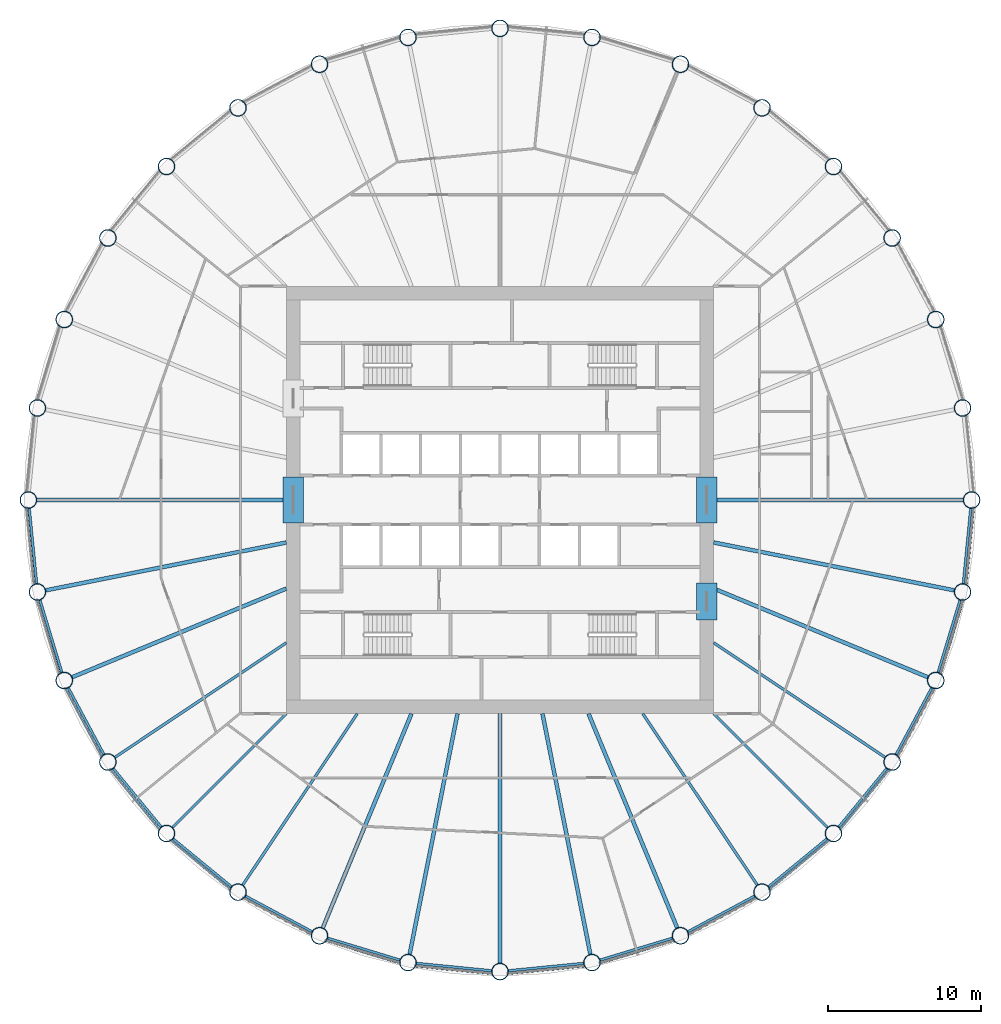
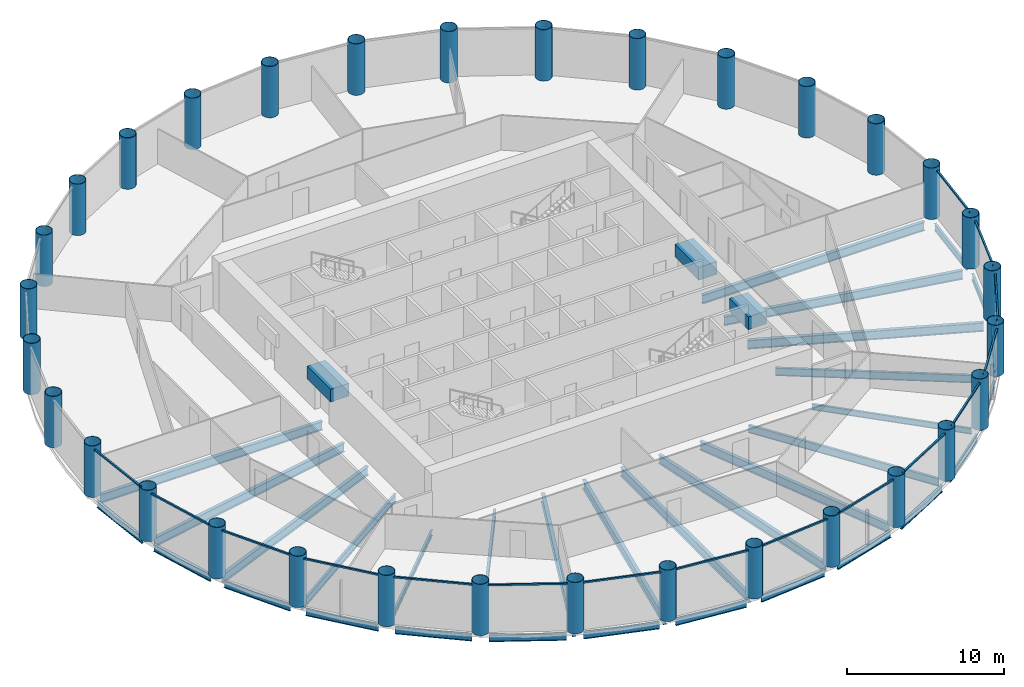
# One storey, part 1 of 9: 36 beams, 32 columns, 16 members, 16 elements without a shape of their own.
"""IFC4 building model written with IfcOpenShell, lengths in metres."""

from ifc_helpers import new_model, si_unit, direction, frame, origin, origin_2d, place, context, subcontext, project, spatial, rectangle, hollow_circle, i_section, extrude, material, material_profile, profile_set, type_object, element, aggregate, save


model = new_model("IFC4")

# Units and contexts
model_context = context("Model", 3, precision=1e-05, world=origin(), true_north=direction((0.0, 1.0)))
body_context = subcontext(model_context, "Body", "Model", "MODEL_VIEW")
ifc_project = project(units=[si_unit("LENGTHUNIT", "METRE"), si_unit("AREAUNIT", "SQUARE_METRE"), si_unit("VOLUMEUNIT", "CUBIC_METRE"), si_unit("PLANEANGLEUNIT", "RADIAN"), si_unit("MASSUNIT", "GRAM", prefix="KILO")], contexts=[model_context])

# Site, building, storey
site_placement = place(None, origin())
site = spatial("IfcSite", under=ifc_project, at=site_placement, CompositionType="ELEMENT")
building_placement = place(site_placement, origin())
building = spatial("IfcBuilding", under=site, at=building_placement, Name="Corvane Civic Tower", CompositionType="ELEMENT")
storey_placement = place(building_placement, frame((0.0, 0.0, 180.0)))
storey = spatial("IfcBuildingStorey", under=building, at=storey_placement, Name="L42", CompositionType="ELEMENT", Elevation=180.0)

# Columns
ifc_material_1 = material(Name="Steel ASTM A572 Gr 50", Category="steel")
ifc_material_profile_1 = material_profile(ifc_material_1, hollow_circle(Radius=0.550048828125, WallThickness=0.031982421875, at=origin_2d()), Name="CHS1100X32")
ifc_profile_set_1 = profile_set([ifc_material_profile_1], Name="Steel ASTM A572 Gr 50")
column_type = type_object("IfcColumnType", Name="COMPOSITE COLUMN CHS1100X32", PredefinedType="COLUMN", material=ifc_profile_set_1)
for number, where, z_axis, x_axis, name in (
    (1, (0.0, 30.89990234375, 0.0), (0.0, 0.0, 1.0), (1.0, 0.0, 0.0), "COL-L42-C01"),
    (2, (6.0283203125, 30.30615234375, 0.0), (0.0, 0.0, 1.0), (1.0, 0.0, 0.0), "COL-L42-C02"),
    (3, (11.824951171875, 28.5478515625, 0.0), (0.0, 0.0, 1.0), (1.0, 0.0, 0.0), "COL-L42-C03"),
    (4, (17.167236328125, 25.6923828125, 0.0), (0.0, 0.0, 1.0), (1.0, 0.0, 0.0), "COL-L42-C04"),
    (5, (21.849609375, 21.849609375, 0.0), (0.0, 0.0, 1.0), (1.0, 0.0, 0.0), "COL-L42-C05"),
    (6, (25.6923828125, 17.167236328125, 0.0), (0.0, 0.0, 1.0), (1.0, 0.0, 0.0), "COL-L42-C06"),
    (7, (28.5478515625, 11.824951171875, 0.0), (0.0, 0.0, 1.0), (1.0, 0.0, 0.0), "COL-L42-C07"),
    (8, (30.30615234375, 6.0283203125, 0.0), (0.0, 0.0, 1.0), (1.0, 0.0, 0.0), "COL-L42-C08"),
    (9, (30.89990234375, 0.0, 0.0), (0.0, 0.0, 1.0), (1.0, 0.0, 0.0), "COL-L42-C09"),
    (10, (30.30615234375, -6.0283203125, 0.0), (0.0, 0.0, 1.0), (1.0, 0.0, 0.0), "COL-L42-C10"),
    (11, (28.5478515625, -11.824951171875, 0.0), (0.0, 0.0, 1.0), (1.0, 0.0, 0.0), "COL-L42-C11"),
    (12, (25.6923828125, -17.167236328125, 0.0), (0.0, 0.0, 1.0), (1.0, 0.0, 0.0), "COL-L42-C12"),
    (13, (21.849609375, -21.849609375, 0.0), (0.0, 0.0, 1.0), (1.0, 0.0, 0.0), "COL-L42-C13"),
    (14, (17.167236328125, -25.6923828125, 0.0), (0.0, 0.0, 1.0), (1.0, 0.0, 0.0), "COL-L42-C14"),
    (15, (11.824951171875, -28.5478515625, 0.0), (0.0, 0.0, 1.0), (1.0, 0.0, 0.0), "COL-L42-C15"),
    (16, (6.0283203125, -30.30615234375, 0.0), (0.0, 0.0, 1.0), (1.0, 0.0, 0.0), "COL-L42-C16"),
    (17, (0.0, -30.89990234375, 0.0), (0.0, 0.0, 1.0), (1.0, 0.0, 0.0), "COL-L42-C17"),
    (18, (-6.0283203125, -30.30615234375, 0.0), (0.0, 0.0, 1.0), (1.0, 0.0, 0.0), "COL-L42-C18"),
    (19, (-11.824951171875, -28.5478515625, 0.0), (0.0, 0.0, 1.0), (1.0, 0.0, 0.0), "COL-L42-C19"),
    (20, (-17.167236328125, -25.6923828125, 0.0), (0.0, 0.0, 1.0), (1.0, 0.0, 0.0), "COL-L42-C20"),
    (21, (-21.849609375, -21.849609375, 0.0), (0.0, 0.0, 1.0), (1.0, 0.0, 0.0), "COL-L42-C21"),
    (22, (-25.6923828125, -17.167236328125, 0.0), (0.0, 0.0, 1.0), (1.0, 0.0, 0.0), "COL-L42-C22"),
    (23, (-28.5478515625, -11.824951171875, 0.0), (0.0, 0.0, 1.0), (1.0, 0.0, 0.0), "COL-L42-C23"),
    (24, (-30.30615234375, -6.0283203125, 0.0), (0.0, 0.0, 1.0), (1.0, 0.0, 0.0), "COL-L42-C24"),
    (25, (-30.89990234375, 0.0, 0.0), (0.0, 0.0, 1.0), (1.0, 0.0, 0.0), "COL-L42-C25"),
    (26, (-30.30615234375, 6.0283203125, 0.0), (0.0, 0.0, 1.0), (1.0, 0.0, 0.0), "COL-L42-C26"),
    (27, (-28.5478515625, 11.824951171875, 0.0), (0.0, 0.0, 1.0), (1.0, 0.0, 0.0), "COL-L42-C27"),
    (28, (-25.6923828125, 17.167236328125, 0.0), (0.0, 0.0, 1.0), (1.0, 0.0, 0.0), "COL-L42-C28"),
    (29, (-21.849609375, 21.849609375, 0.0), (0.0, 0.0, 1.0), (1.0, 0.0, 0.0), "COL-L42-C29"),
    (30, (-17.167236328125, 25.6923828125, 0.0), (0.0, 0.0, 1.0), (1.0, 0.0, 0.0), "COL-L42-C30"),
    (31, (-11.824951171875, 28.5478515625, 0.0), (0.0, 0.0, 1.0), (1.0, 0.0, 0.0), "COL-L42-C31"),
    (32, (-6.0283203125, 30.30615234375, 0.0), (0.0, 0.0, 1.0), (1.0, 0.0, 0.0), "COL-L42-C32"),
):
    element("IfcColumn", number, at=place(storey_placement, frame(where, z_axis=z_axis, x_axis=x_axis)), inside=storey, type_object=column_type, Name=name, PredefinedType="COLUMN", context=body_context, shape_type="SweptSolid", body=[
        extrude(hollow_circle(Radius=0.550048828125, WallThickness=0.031982421875, at=origin_2d()), origin(), (0.0, 0.0, 1.0), 4.0),
    ])

# Beams
ifc_material_2 = material(Name="Concrete C60/75", Category="concrete")
ifc_material_profile_2 = material_profile(ifc_material_2, rectangle(XDim=1.35009765625, YDim=1.0, at=origin_2d()), Name="COUPLING BEAM 1350X1000")
ifc_profile_set_2 = profile_set([ifc_material_profile_2], Name="Concrete C60/75")
beam_type_1 = type_object("IfcBeamType", Name="COUPLING BEAM COUPLING BEAM 1350X1000", PredefinedType="BEAM", material=ifc_profile_set_2)
for number, where, z_axis, x_axis, name in (
    (33, (-13.550048828125, -1.5, 2.60009765625), (0.0, 1.0, 0.0), (-1.0, 0.0, 0.0), "BM-L42-cpl-CW-LW"),
    (34, (13.550048828125, -1.5, 2.60009765625), (0.0, 1.0, 0.0), (-1.0, 0.0, 0.0), "BM-L42-cpl-CW-LE"),
):
    element("IfcBeam", number, at=place(storey_placement, frame(where, z_axis=z_axis, x_axis=x_axis)), inside=storey, type_object=beam_type_1, Name=name, PredefinedType="BEAM", context=body_context, shape_type="SweptSolid", body=[
        extrude(rectangle(XDim=1.35009765625, YDim=1.0, at=origin_2d()), origin(), (0.0, 0.0, 1.0), 3.0),
    ])
beam_1_placement = place(storey_placement, frame((13.550048828125, -7.85009765625, 2.60009765625), z_axis=(0.0, 1.0, 0.0), x_axis=(-1.0, 0.0, 0.0)))
element("IfcBeam", 35, at=beam_1_placement, inside=storey, type_object=beam_type_1, Name="BM-L42-cpl-CW-ES", PredefinedType="BEAM", context=body_context, shape_type="SweptSolid", body=[
    extrude(rectangle(XDim=1.35009765625, YDim=1.0, at=origin_2d()), origin(), (0.0, 0.0, 1.0), 2.400146484375),
])
ifc_material_3 = material(Name="Steel ASTM A992 Gr 50", Category="steel")
ifc_material_profile_3 = material_profile(ifc_material_3, i_section(OverallWidth=0.165771484375, OverallDepth=0.5283203125, WebThickness=0.009765625, FlangeThickness=0.013671875, at=origin_2d()), Name="W21X50")
ifc_profile_set_3 = profile_set([ifc_material_profile_3], Name="Steel ASTM A992 Gr 50")
beam_type_2 = type_object("IfcBeamType", Name="EDGE BEAM W21X50", PredefinedType="BEAM", material=ifc_profile_set_3)
beam_2_placement = place(storey_placement, frame((30.845947265625, -0.54736328125, -0.564208984375), z_axis=(-0.09800181167, -0.995186236294, 0.0), x_axis=(0.995186236294, -0.09800181167, 0.0)))
element("IfcBeam", 36, at=beam_2_placement, inside=storey, type_object=beam_type_2, Name="BM-L42-E09", PredefinedType="BEAM", context=body_context, shape_type="SweptSolid", body=[
    extrude(i_section(OverallWidth=0.165771484375, OverallDepth=0.5283203125, WebThickness=0.009765625, FlangeThickness=0.013671875, at=origin_2d()), origin(), (0.0, 0.0, 1.0), 4.95751953125),
])
beam_3_placement = place(storey_placement, frame((30.146484375, -6.5546875, -0.564208984375), z_axis=(-0.290269821381, -0.956944842086, 0.0), x_axis=(0.956944842086, -0.290269821381, 0.0)))
element("IfcBeam", 37, at=beam_3_placement, inside=storey, type_object=beam_type_2, Name="BM-L42-E10", PredefinedType="BEAM", context=body_context, shape_type="SweptSolid", body=[
    extrude(i_section(OverallWidth=0.165771484375, OverallDepth=0.5283203125, WebThickness=0.009765625, FlangeThickness=0.013671875, at=origin_2d()), origin(), (0.0, 0.0, 1.0), 4.957275390625),
])
for number, where, z_axis, x_axis, name in (
    (38, (28.28857421875, -12.31005859375, -0.564208984375), (-0.471395763042, -0.881921784846, 0.0), (0.881921784846, -0.471395763042, 0.0), "BM-L42-E11"),
    (39, (25.343505859375, -17.59228515625, -0.564208984375), (-0.634387546532, -0.77301516208, 0.0), (0.77301516208, -0.634387546532, 0.0), "BM-L42-E12"),
    (40, (21.424560546875, -22.198486328125, -0.564208984375), (-0.77301516208, -0.634387546532, 0.0), (0.634387546532, -0.77301516208, 0.0), "BM-L42-E13"),
    (41, (16.68212890625, -25.95166015625, -0.564208984375), (-0.881921784846, -0.471395763042, 0.0), (0.471395763042, -0.881921784846, 0.0), "BM-L42-E14"),
):
    element("IfcBeam", number, at=place(storey_placement, frame(where, z_axis=z_axis, x_axis=x_axis)), inside=storey, type_object=beam_type_2, Name=name, PredefinedType="BEAM", context=body_context, shape_type="SweptSolid", body=[
        extrude(i_section(OverallWidth=0.165771484375, OverallDepth=0.5283203125, WebThickness=0.009765625, FlangeThickness=0.013671875, at=origin_2d()), origin(), (0.0, 0.0, 1.0), 4.95751953125),
    ])
beam_4_placement = place(storey_placement, frame((11.298583984375, -28.70751953125, -0.564208984375), z_axis=(-0.956944842086, -0.290269821381, 0.0), x_axis=(0.290269821381, -0.956944842086, 0.0)))
element("IfcBeam", 42, at=beam_4_placement, inside=storey, type_object=beam_type_2, Name="BM-L42-E15", PredefinedType="BEAM", context=body_context, shape_type="SweptSolid", body=[
    extrude(i_section(OverallWidth=0.165771484375, OverallDepth=0.5283203125, WebThickness=0.009765625, FlangeThickness=0.013671875, at=origin_2d()), origin(), (0.0, 0.0, 1.0), 4.957275390625),
])
for number, where, z_axis, x_axis, name in (
    (43, (5.48095703125, -30.360107421875, -0.564208984375), (-0.995186236294, -0.09800181167, 0.0), (0.09800181167, -0.995186236294, 0.0), "BM-L42-E16"),
    (44, (-0.54736328125, -30.845947265625, -0.564208984375), (-0.995186236294, 0.09800181167, 0.0), (-0.09800181167, -0.995186236294, 0.0), "BM-L42-E17"),
):
    element("IfcBeam", number, at=place(storey_placement, frame(where, z_axis=z_axis, x_axis=x_axis)), inside=storey, type_object=beam_type_2, Name=name, PredefinedType="BEAM", context=body_context, shape_type="SweptSolid", body=[
        extrude(i_section(OverallWidth=0.165771484375, OverallDepth=0.5283203125, WebThickness=0.009765625, FlangeThickness=0.013671875, at=origin_2d()), origin(), (0.0, 0.0, 1.0), 4.95751953125),
    ])
beam_5_placement = place(storey_placement, frame((-6.5546875, -30.146484375, -0.564208984375), z_axis=(-0.956944842086, 0.290269821381, 0.0), x_axis=(-0.290269821381, -0.956944842086, 0.0)))
element("IfcBeam", 45, at=beam_5_placement, inside=storey, type_object=beam_type_2, Name="BM-L42-E18", PredefinedType="BEAM", context=body_context, shape_type="SweptSolid", body=[
    extrude(i_section(OverallWidth=0.165771484375, OverallDepth=0.5283203125, WebThickness=0.009765625, FlangeThickness=0.013671875, at=origin_2d()), origin(), (0.0, 0.0, 1.0), 4.957275390625),
])
for number, where, z_axis, x_axis, name in (
    (46, (-12.31005859375, -28.28857421875, -0.564208984375), (-0.881921784846, 0.471395763042, 0.0), (-0.471395763042, -0.881921784846, 0.0), "BM-L42-E19"),
    (47, (-17.59228515625, -25.343505859375, -0.564208984375), (-0.77301516208, 0.634387546532, 0.0), (-0.634387546532, -0.77301516208, 0.0), "BM-L42-E20"),
    (48, (-22.198486328125, -21.424560546875, -0.564208984375), (-0.634387546532, 0.77301516208, 0.0), (-0.77301516208, -0.634387546532, 0.0), "BM-L42-E21"),
    (49, (-25.95166015625, -16.68212890625, -0.564208984375), (-0.471395763042, 0.881921784846, 0.0), (-0.881921784846, -0.471395763042, 0.0), "BM-L42-E22"),
):
    element("IfcBeam", number, at=place(storey_placement, frame(where, z_axis=z_axis, x_axis=x_axis)), inside=storey, type_object=beam_type_2, Name=name, PredefinedType="BEAM", context=body_context, shape_type="SweptSolid", body=[
        extrude(i_section(OverallWidth=0.165771484375, OverallDepth=0.5283203125, WebThickness=0.009765625, FlangeThickness=0.013671875, at=origin_2d()), origin(), (0.0, 0.0, 1.0), 4.95751953125),
    ])
beam_6_placement = place(storey_placement, frame((-28.70751953125, -11.298583984375, -0.564208984375), z_axis=(-0.290269821381, 0.956944842086, 0.0), x_axis=(-0.956944842086, -0.290269821381, 0.0)))
element("IfcBeam", 50, at=beam_6_placement, inside=storey, type_object=beam_type_2, Name="BM-L42-E23", PredefinedType="BEAM", context=body_context, shape_type="SweptSolid", body=[
    extrude(i_section(OverallWidth=0.165771484375, OverallDepth=0.5283203125, WebThickness=0.009765625, FlangeThickness=0.013671875, at=origin_2d()), origin(), (0.0, 0.0, 1.0), 4.957275390625),
])
beam_7_placement = place(storey_placement, frame((-30.360107421875, -5.48095703125, -0.564208984375), z_axis=(-0.09800181167, 0.995186236294, 0.0), x_axis=(-0.995186236294, -0.09800181167, 0.0)))
element("IfcBeam", 51, at=beam_7_placement, inside=storey, type_object=beam_type_2, Name="BM-L42-E24", PredefinedType="BEAM", context=body_context, shape_type="SweptSolid", body=[
    extrude(i_section(OverallWidth=0.165771484375, OverallDepth=0.5283203125, WebThickness=0.009765625, FlangeThickness=0.013671875, at=origin_2d()), origin(), (0.0, 0.0, 1.0), 4.95751953125),
])
ifc_material_4 = material(Name="Steel ASTM A992 Gr 50", Category="steel")
ifc_material_profile_4 = material_profile(ifc_material_4, i_section(OverallWidth=0.15283203125, OverallDepth=0.45458984375, WebThickness=0.008056640625, FlangeThickness=0.013427734375, at=origin_2d()), Name="W18X40")
ifc_profile_set_4 = profile_set([ifc_material_profile_4], Name="Steel ASTM A992 Gr 50")
beam_type_3 = type_object("IfcBeamType", Name="FLOOR GIRDER W18X40", PredefinedType="BEAM", material=ifc_profile_set_4)
for number, where, z_axis, x_axis, name in (
    (52, (14.0, -14.0, -0.52734375), (0.707106781187, -0.707106781187, 0.0), (0.707106781187, 0.707106781187, 0.0), "BM-L42-G13"),
    (53, (-14.0, -14.0, -0.52734375), (-0.707106781187, -0.707106781187, 0.0), (0.707106781187, -0.707106781187, 0.0), "BM-L42-G21"),
):
    element("IfcBeam", number, at=place(storey_placement, frame(where, z_axis=z_axis, x_axis=x_axis)), inside=storey, type_object=beam_type_3, Name=name, PredefinedType="BEAM", context=body_context, shape_type="SweptSolid", body=[
        extrude(i_section(OverallWidth=0.15283203125, OverallDepth=0.45458984375, WebThickness=0.008056640625, FlangeThickness=0.013427734375, at=origin_2d()), origin(), (0.0, 0.0, 1.0), 10.551025390625),
    ])
ifc_material_5 = material(Name="Steel ASTM A992 Gr 50", Category="steel")
ifc_material_profile_5 = material_profile(ifc_material_5, i_section(OverallWidth=0.177978515625, OverallDepth=0.599365234375, WebThickness=0.010009765625, FlangeThickness=0.012939453125, at=origin_2d()), Name="W24X55")
ifc_profile_set_5 = profile_set([ifc_material_profile_5], Name="Steel ASTM A992 Gr 50")
beam_type_4 = type_object("IfcBeamType", Name="FLOOR GIRDER W24X55", PredefinedType="BEAM", material=ifc_profile_set_5)
for number, where, z_axis, x_axis, name in (
    (54, (14.0, -9.3544921875, -0.599609375), (0.83146888399, -0.555571323015, 0.0), (0.555571323015, 0.83146888399, 0.0), "BM-L42-G12"),
    (55, (9.3544921875, -14.0, -0.599609375), (0.555571323015, -0.83146888399, 0.0), (0.83146888399, 0.555571323015, 0.0), "BM-L42-G14"),
    (56, (-9.3544921875, -14.0, -0.599609375), (-0.555571323015, -0.83146888399, 0.0), (0.83146888399, -0.555571323015, 0.0), "BM-L42-G20"),
    (57, (-14.0, -9.3544921875, -0.599609375), (-0.83146888399, -0.555571323015, 0.0), (0.555571323015, -0.83146888399, 0.0), "BM-L42-G22"),
):
    element("IfcBeam", number, at=place(storey_placement, frame(where, z_axis=z_axis, x_axis=x_axis)), inside=storey, type_object=beam_type_4, Name=name, PredefinedType="BEAM", context=body_context, shape_type="SweptSolid", body=[
        extrude(i_section(OverallWidth=0.177978515625, OverallDepth=0.599365234375, WebThickness=0.010009765625, FlangeThickness=0.012939453125, at=origin_2d()), origin(), (0.0, 0.0, 1.0), 13.512451171875),
    ])
ifc_material_6 = material(Name="Steel ASTM A992 Gr 50", Category="steel")
ifc_material_profile_6 = material_profile(ifc_material_6, i_section(OverallWidth=0.25390625, OverallDepth=0.67822265625, WebThickness=0.01171875, FlangeThickness=0.016357421875, at=origin_2d()), Name="W27X84")
ifc_profile_set_6 = profile_set([ifc_material_profile_6], Name="Steel ASTM A992 Gr 50")
beam_type_5 = type_object("IfcBeamType", Name="FLOOR GIRDER W27X84", PredefinedType="BEAM", material=ifc_profile_set_6)
beam_8_placement = place(storey_placement, frame((14.0, 0.0, -0.63916015625), z_axis=(1.0, 0.0, 0.0), x_axis=(0.0, 1.0, 0.0)))
element("IfcBeam", 58, at=beam_8_placement, inside=storey, type_object=beam_type_5, Name="BM-L42-G09", PredefinedType="BEAM", context=body_context, shape_type="SweptSolid", body=[
    extrude(i_section(OverallWidth=0.25390625, OverallDepth=0.67822265625, WebThickness=0.01171875, FlangeThickness=0.016357421875, at=origin_2d()), origin(), (0.0, 0.0, 1.0), 16.35009765625),
])
beam_9_placement = place(storey_placement, frame((14.0, -2.78466796875, -0.63916015625), z_axis=(0.980785162999, -0.195090912248, 0.0), x_axis=(0.195090912248, 0.980785162999, 0.0)))
element("IfcBeam", 59, at=beam_9_placement, inside=storey, type_object=beam_type_5, Name="BM-L42-G10", PredefinedType="BEAM", context=body_context, shape_type="SweptSolid", body=[
    extrude(i_section(OverallWidth=0.25390625, OverallDepth=0.67822265625, WebThickness=0.01171875, FlangeThickness=0.016357421875, at=origin_2d()), origin(), (0.0, 0.0, 1.0), 16.07568359375),
])
for number, where, z_axis, x_axis, name in (
    (60, (14.0, -5.799072265625, -0.63916015625), (0.923880551114, -0.38268097323, 0.0), (0.38268097323, 0.923880551114, 0.0), "BM-L42-G11"),
    (61, (5.799072265625, -14.0, -0.63916015625), (0.38268097323, -0.923880551114, 0.0), (0.923880551114, 0.38268097323, 0.0), "BM-L42-G15"),
):
    element("IfcBeam", number, at=place(storey_placement, frame(where, z_axis=z_axis, x_axis=x_axis)), inside=storey, type_object=beam_type_5, Name=name, PredefinedType="BEAM", context=body_context, shape_type="SweptSolid", body=[
        extrude(i_section(OverallWidth=0.25390625, OverallDepth=0.67822265625, WebThickness=0.01171875, FlangeThickness=0.016357421875, at=origin_2d()), origin(), (0.0, 0.0, 1.0), 15.196533203125),
    ])
beam_10_placement = place(storey_placement, frame((2.78466796875, -14.0, -0.63916015625), z_axis=(0.195090912248, -0.980785162999, 0.0), x_axis=(0.980785162999, 0.195090912248, 0.0)))
element("IfcBeam", 62, at=beam_10_placement, inside=storey, type_object=beam_type_5, Name="BM-L42-G16", PredefinedType="BEAM", context=body_context, shape_type="SweptSolid", body=[
    extrude(i_section(OverallWidth=0.25390625, OverallDepth=0.67822265625, WebThickness=0.01171875, FlangeThickness=0.016357421875, at=origin_2d()), origin(), (0.0, 0.0, 1.0), 16.07568359375),
])
beam_11_placement = place(storey_placement, frame((0.0, -14.0, -0.63916015625), z_axis=(0.0, -1.0, 0.0), x_axis=(1.0, 0.0, 0.0)))
element("IfcBeam", 63, at=beam_11_placement, inside=storey, type_object=beam_type_5, Name="BM-L42-G17", PredefinedType="BEAM", context=body_context, shape_type="SweptSolid", body=[
    extrude(i_section(OverallWidth=0.25390625, OverallDepth=0.67822265625, WebThickness=0.01171875, FlangeThickness=0.016357421875, at=origin_2d()), origin(), (0.0, 0.0, 1.0), 16.35009765625),
])
beam_12_placement = place(storey_placement, frame((-2.78466796875, -14.0, -0.63916015625), z_axis=(-0.195090912248, -0.980785162999, 0.0), x_axis=(0.980785162999, -0.195090912248, 0.0)))
element("IfcBeam", 64, at=beam_12_placement, inside=storey, type_object=beam_type_5, Name="BM-L42-G18", PredefinedType="BEAM", context=body_context, shape_type="SweptSolid", body=[
    extrude(i_section(OverallWidth=0.25390625, OverallDepth=0.67822265625, WebThickness=0.01171875, FlangeThickness=0.016357421875, at=origin_2d()), origin(), (0.0, 0.0, 1.0), 16.07568359375),
])
for number, where, z_axis, x_axis, name in (
    (65, (-5.799072265625, -14.0, -0.63916015625), (-0.38268097323, -0.923880551114, 0.0), (0.923880551114, -0.38268097323, 0.0), "BM-L42-G19"),
    (66, (-14.0, -5.799072265625, -0.63916015625), (-0.923880551114, -0.38268097323, 0.0), (0.38268097323, -0.923880551114, 0.0), "BM-L42-G23"),
):
    element("IfcBeam", number, at=place(storey_placement, frame(where, z_axis=z_axis, x_axis=x_axis)), inside=storey, type_object=beam_type_5, Name=name, PredefinedType="BEAM", context=body_context, shape_type="SweptSolid", body=[
        extrude(i_section(OverallWidth=0.25390625, OverallDepth=0.67822265625, WebThickness=0.01171875, FlangeThickness=0.016357421875, at=origin_2d()), origin(), (0.0, 0.0, 1.0), 15.196533203125),
    ])
beam_13_placement = place(storey_placement, frame((-14.0, -2.78466796875, -0.63916015625), z_axis=(-0.980785162999, -0.195090912248, 0.0), x_axis=(0.195090912248, -0.980785162999, 0.0)))
element("IfcBeam", 67, at=beam_13_placement, inside=storey, type_object=beam_type_5, Name="BM-L42-G24", PredefinedType="BEAM", context=body_context, shape_type="SweptSolid", body=[
    extrude(i_section(OverallWidth=0.25390625, OverallDepth=0.67822265625, WebThickness=0.01171875, FlangeThickness=0.016357421875, at=origin_2d()), origin(), (0.0, 0.0, 1.0), 16.07568359375),
])
beam_14_placement = place(storey_placement, frame((-14.0, 0.0, -0.63916015625), z_axis=(-1.0, 0.0, 0.0), x_axis=(0.0, -1.0, 0.0)))
element("IfcBeam", 68, at=beam_14_placement, inside=storey, type_object=beam_type_5, Name="BM-L42-G25", PredefinedType="BEAM", context=body_context, shape_type="SweptSolid", body=[
    extrude(i_section(OverallWidth=0.25390625, OverallDepth=0.67822265625, WebThickness=0.01171875, FlangeThickness=0.016357421875, at=origin_2d()), origin(), (0.0, 0.0, 1.0), 16.35009765625),
])

# Curtain wall, member
ifc_material_7 = material(Name="Anodised aluminium bronze", Category="aluminium")
curtain_wall_type = type_object("IfcCurtainWallType", Name="TOWER CW-T2 STICK CURTAIN WALL", PredefinedType="NOTDEFINED", material=ifc_material_7)
curtain_wall_1_placement = place(storey_placement, origin())
curtain_wall_1 = element("IfcCurtainWall", 69, at=curtain_wall_1_placement, inside=storey, type_object=curtain_wall_type, Name="Curtain wall CW-T2 L42 bay 09", PredefinedType="NOTDEFINED")
ifc_material_8 = material(Name="Anodised aluminium bronze", Category="aluminium")
ifc_material_profile_7 = material_profile(ifc_material_8, rectangle(XDim=0.1201171875, YDim=0.1201171875, at=origin_2d()), Name="TOWER CW-T2 TRANSOM 120x120")
ifc_profile_set_7 = profile_set([ifc_material_profile_7], Name="Anodised aluminium bronze")
member_type = type_object("IfcMemberType", Name="TOWER CW-T2 TRANSOM 120x120", PredefinedType="USERDEFINED", material=ifc_profile_set_7)
member_1_placement = place(storey_placement, frame((31.0302734375, -0.505126953125, 3.68994140625), z_axis=(-0.097989755963, -0.995187423416, 0.0), x_axis=(0.995187423416, -0.097989755963, 0.0)))
member_1 = element("IfcMember", 70, at=member_1_placement, type_object=member_type, Name="Transom CW-T2 L42 09.1", ObjectType="TRANSOM", PredefinedType="USERDEFINED", context=body_context, shape_type="SweptSolid", body=[
    extrude(rectangle(XDim=0.1201171875, YDim=0.1201171875, at=origin_2d()), origin(), (0.0, 0.0, 1.0), 5.07763671875),
])
aggregate(curtain_wall_1, [member_1])

curtain_wall_2_placement = place(storey_placement, origin())
curtain_wall_2 = element("IfcCurtainWall", 71, at=curtain_wall_2_placement, inside=storey, type_object=curtain_wall_type, Name="Curtain wall CW-T2 L42 bay 10", PredefinedType="NOTDEFINED")
member_2_placement = place(storey_placement, frame((30.33544921875, -6.54931640625, 3.68994140625), z_axis=(-0.290288977061, -0.956939031389, 0.0), x_axis=(0.956939031389, -0.290288977061, 0.0)))
member_2 = element("IfcMember", 72, at=member_2_placement, type_object=member_type, Name="Transom CW-T2 L42 10.1", ObjectType="TRANSOM", PredefinedType="USERDEFINED", context=body_context, shape_type="SweptSolid", body=[
    extrude(rectangle(XDim=0.1201171875, YDim=0.1201171875, at=origin_2d()), origin(), (0.0, 0.0, 1.0), 5.077392578125),
])
aggregate(curtain_wall_2, [member_2])

curtain_wall_3_placement = place(storey_placement, origin())
curtain_wall_3 = element("IfcCurtainWall", 73, at=curtain_wall_3_placement, inside=storey, type_object=curtain_wall_type, Name="Curtain wall CW-T2 L42 bay 11", PredefinedType="NOTDEFINED")
member_3_placement = place(storey_placement, frame((28.474853515625, -12.341552734375, 3.68994140625), z_axis=(-0.471396615074, -0.881921329426, 0.0), x_axis=(0.881921329426, -0.471396615074, 0.0)))
member_3 = element("IfcMember", 74, at=member_3_placement, type_object=member_type, Name="Transom CW-T2 L42 11.1", ObjectType="TRANSOM", PredefinedType="USERDEFINED", context=body_context, shape_type="SweptSolid", body=[
    extrude(rectangle(XDim=0.1201171875, YDim=0.1201171875, at=origin_2d()), origin(), (0.0, 0.0, 1.0), 5.07763671875),
])
aggregate(curtain_wall_3, [member_3])

curtain_wall_4_placement = place(storey_placement, origin())
curtain_wall_4 = element("IfcCurtainWall", 75, at=curtain_wall_4_placement, inside=storey, type_object=curtain_wall_type, Name="Curtain wall CW-T2 L42 bay 12", PredefinedType="NOTDEFINED")
member_4_placement = place(storey_placement, frame((25.519775390625, -17.65966796875, 3.68994140625), z_axis=(-0.634386611146, -0.773015929719, 0.0), x_axis=(0.773015929719, -0.634386611146, 0.0)))
member_4 = element("IfcMember", 76, at=member_4_placement, type_object=member_type, Name="Transom CW-T2 L42 12.1", ObjectType="TRANSOM", PredefinedType="USERDEFINED", context=body_context, shape_type="SweptSolid", body=[
    extrude(rectangle(XDim=0.1201171875, YDim=0.1201171875, at=origin_2d()), origin(), (0.0, 0.0, 1.0), 5.0771484375),
])
aggregate(curtain_wall_4, [member_4])

curtain_wall_5_placement = place(storey_placement, origin())
curtain_wall_5 = element("IfcCurtainWall", 77, at=curtain_wall_5_placement, inside=storey, type_object=curtain_wall_type, Name="Curtain wall CW-T2 L42 bay 13", PredefinedType="NOTDEFINED")
member_5_placement = place(storey_placement, frame((21.58447265625, -22.298828125, 3.68994140625), z_axis=(-0.773015929719, -0.634386611146, 0.0), x_axis=(0.634386611146, -0.773015929719, 0.0)))
member_5 = element("IfcMember", 78, at=member_5_placement, type_object=member_type, Name="Transom CW-T2 L42 13.1", ObjectType="TRANSOM", PredefinedType="USERDEFINED", context=body_context, shape_type="SweptSolid", body=[
    extrude(rectangle(XDim=0.1201171875, YDim=0.1201171875, at=origin_2d()), origin(), (0.0, 0.0, 1.0), 5.0771484375),
])
aggregate(curtain_wall_5, [member_5])

curtain_wall_6_placement = place(storey_placement, origin())
curtain_wall_6 = element("IfcCurtainWall", 79, at=curtain_wall_6_placement, inside=storey, type_object=curtain_wall_type, Name="Curtain wall CW-T2 L42 bay 14", PredefinedType="NOTDEFINED")
member_6_placement = place(storey_placement, frame((16.819580078125, -26.081298828125, 3.68994140625), z_axis=(-0.881921329426, -0.471396615074, 0.0), x_axis=(0.471396615074, -0.881921329426, 0.0)))
member_6 = element("IfcMember", 80, at=member_6_placement, type_object=member_type, Name="Transom CW-T2 L42 14.1", ObjectType="TRANSOM", PredefinedType="USERDEFINED", context=body_context, shape_type="SweptSolid", body=[
    extrude(rectangle(XDim=0.1201171875, YDim=0.1201171875, at=origin_2d()), origin(), (0.0, 0.0, 1.0), 5.07763671875),
])
aggregate(curtain_wall_6, [member_6])

curtain_wall_7_placement = place(storey_placement, origin())
curtain_wall_7 = element("IfcCurtainWall", 81, at=curtain_wall_7_placement, inside=storey, type_object=curtain_wall_type, Name="Curtain wall CW-T2 L42 bay 15", PredefinedType="NOTDEFINED")
member_7_placement = place(storey_placement, frame((11.407958984375, -28.861572265625, 3.68994140625), z_axis=(-0.956939031389, -0.290288977061, 0.0), x_axis=(0.290288977061, -0.956939031389, 0.0)))
member_7 = element("IfcMember", 82, at=member_7_placement, type_object=member_type, Name="Transom CW-T2 L42 15.1", ObjectType="TRANSOM", PredefinedType="USERDEFINED", context=body_context, shape_type="SweptSolid", body=[
    extrude(rectangle(XDim=0.1201171875, YDim=0.1201171875, at=origin_2d()), origin(), (0.0, 0.0, 1.0), 5.077392578125),
])
aggregate(curtain_wall_7, [member_7])

curtain_wall_8_placement = place(storey_placement, origin())
curtain_wall_8 = element("IfcCurtainWall", 83, at=curtain_wall_8_placement, inside=storey, type_object=curtain_wall_type, Name="Curtain wall CW-T2 L42 bay 16", PredefinedType="NOTDEFINED")
member_8_placement = place(storey_placement, frame((5.558349609375, -30.53271484375, 3.68994140625), z_axis=(-0.995187423416, -0.097989755963, 0.0), x_axis=(0.097989755963, -0.995187423416, 0.0)))
member_8 = element("IfcMember", 84, at=member_8_placement, type_object=member_type, Name="Transom CW-T2 L42 16.1", ObjectType="TRANSOM", PredefinedType="USERDEFINED", context=body_context, shape_type="SweptSolid", body=[
    extrude(rectangle(XDim=0.1201171875, YDim=0.1201171875, at=origin_2d()), origin(), (0.0, 0.0, 1.0), 5.07763671875),
])
aggregate(curtain_wall_8, [member_8])

curtain_wall_9_placement = place(storey_placement, origin())
curtain_wall_9 = element("IfcCurtainWall", 85, at=curtain_wall_9_placement, inside=storey, type_object=curtain_wall_type, Name="Curtain wall CW-T2 L42 bay 17", PredefinedType="NOTDEFINED")
member_9_placement = place(storey_placement, frame((-0.505126953125, -31.0302734375, 3.68994140625), z_axis=(-0.995187423416, 0.097989755963, 0.0), x_axis=(-0.097989755963, -0.995187423416, 0.0)))
member_9 = element("IfcMember", 86, at=member_9_placement, type_object=member_type, Name="Transom CW-T2 L42 17.1", ObjectType="TRANSOM", PredefinedType="USERDEFINED", context=body_context, shape_type="SweptSolid", body=[
    extrude(rectangle(XDim=0.1201171875, YDim=0.1201171875, at=origin_2d()), origin(), (0.0, 0.0, 1.0), 5.07763671875),
])
aggregate(curtain_wall_9, [member_9])

curtain_wall_10_placement = place(storey_placement, origin())
curtain_wall_10 = element("IfcCurtainWall", 87, at=curtain_wall_10_placement, inside=storey, type_object=curtain_wall_type, Name="Curtain wall CW-T2 L42 bay 18", PredefinedType="NOTDEFINED")
member_10_placement = place(storey_placement, frame((-6.54931640625, -30.33544921875, 3.68994140625), z_axis=(-0.956939031389, 0.290288977061, 0.0), x_axis=(-0.290288977061, -0.956939031389, 0.0)))
member_10 = element("IfcMember", 88, at=member_10_placement, type_object=member_type, Name="Transom CW-T2 L42 18.1", ObjectType="TRANSOM", PredefinedType="USERDEFINED", context=body_context, shape_type="SweptSolid", body=[
    extrude(rectangle(XDim=0.1201171875, YDim=0.1201171875, at=origin_2d()), origin(), (0.0, 0.0, 1.0), 5.077392578125),
])
aggregate(curtain_wall_10, [member_10])

curtain_wall_11_placement = place(storey_placement, origin())
curtain_wall_11 = element("IfcCurtainWall", 89, at=curtain_wall_11_placement, inside=storey, type_object=curtain_wall_type, Name="Curtain wall CW-T2 L42 bay 19", PredefinedType="NOTDEFINED")
member_11_placement = place(storey_placement, frame((-12.341552734375, -28.474853515625, 3.68994140625), z_axis=(-0.881921329426, 0.471396615074, 0.0), x_axis=(-0.471396615074, -0.881921329426, 0.0)))
member_11 = element("IfcMember", 90, at=member_11_placement, type_object=member_type, Name="Transom CW-T2 L42 19.1", ObjectType="TRANSOM", PredefinedType="USERDEFINED", context=body_context, shape_type="SweptSolid", body=[
    extrude(rectangle(XDim=0.1201171875, YDim=0.1201171875, at=origin_2d()), origin(), (0.0, 0.0, 1.0), 5.07763671875),
])
aggregate(curtain_wall_11, [member_11])

curtain_wall_12_placement = place(storey_placement, origin())
curtain_wall_12 = element("IfcCurtainWall", 91, at=curtain_wall_12_placement, inside=storey, type_object=curtain_wall_type, Name="Curtain wall CW-T2 L42 bay 20", PredefinedType="NOTDEFINED")
member_12_placement = place(storey_placement, frame((-17.65966796875, -25.519775390625, 3.68994140625), z_axis=(-0.773015929719, 0.634386611146, 0.0), x_axis=(-0.634386611146, -0.773015929719, 0.0)))
member_12 = element("IfcMember", 92, at=member_12_placement, type_object=member_type, Name="Transom CW-T2 L42 20.1", ObjectType="TRANSOM", PredefinedType="USERDEFINED", context=body_context, shape_type="SweptSolid", body=[
    extrude(rectangle(XDim=0.1201171875, YDim=0.1201171875, at=origin_2d()), origin(), (0.0, 0.0, 1.0), 5.0771484375),
])
aggregate(curtain_wall_12, [member_12])

curtain_wall_13_placement = place(storey_placement, origin())
curtain_wall_13 = element("IfcCurtainWall", 93, at=curtain_wall_13_placement, inside=storey, type_object=curtain_wall_type, Name="Curtain wall CW-T2 L42 bay 21", PredefinedType="NOTDEFINED")
member_13_placement = place(storey_placement, frame((-22.298828125, -21.58447265625, 3.68994140625), z_axis=(-0.634386611146, 0.773015929719, 0.0), x_axis=(-0.773015929719, -0.634386611146, 0.0)))
member_13 = element("IfcMember", 94, at=member_13_placement, type_object=member_type, Name="Transom CW-T2 L42 21.1", ObjectType="TRANSOM", PredefinedType="USERDEFINED", context=body_context, shape_type="SweptSolid", body=[
    extrude(rectangle(XDim=0.1201171875, YDim=0.1201171875, at=origin_2d()), origin(), (0.0, 0.0, 1.0), 5.0771484375),
])
aggregate(curtain_wall_13, [member_13])

curtain_wall_14_placement = place(storey_placement, origin())
curtain_wall_14 = element("IfcCurtainWall", 95, at=curtain_wall_14_placement, inside=storey, type_object=curtain_wall_type, Name="Curtain wall CW-T2 L42 bay 22", PredefinedType="NOTDEFINED")
member_14_placement = place(storey_placement, frame((-26.081298828125, -16.819580078125, 3.68994140625), z_axis=(-0.471396615074, 0.881921329426, 0.0), x_axis=(-0.881921329426, -0.471396615074, 0.0)))
member_14 = element("IfcMember", 96, at=member_14_placement, type_object=member_type, Name="Transom CW-T2 L42 22.1", ObjectType="TRANSOM", PredefinedType="USERDEFINED", context=body_context, shape_type="SweptSolid", body=[
    extrude(rectangle(XDim=0.1201171875, YDim=0.1201171875, at=origin_2d()), origin(), (0.0, 0.0, 1.0), 5.07763671875),
])
aggregate(curtain_wall_14, [member_14])

curtain_wall_15_placement = place(storey_placement, origin())
curtain_wall_15 = element("IfcCurtainWall", 97, at=curtain_wall_15_placement, inside=storey, type_object=curtain_wall_type, Name="Curtain wall CW-T2 L42 bay 23", PredefinedType="NOTDEFINED")
member_15_placement = place(storey_placement, frame((-28.861572265625, -11.407958984375, 3.68994140625), z_axis=(-0.290288977061, 0.956939031389, 0.0), x_axis=(-0.956939031389, -0.290288977061, 0.0)))
member_15 = element("IfcMember", 98, at=member_15_placement, type_object=member_type, Name="Transom CW-T2 L42 23.1", ObjectType="TRANSOM", PredefinedType="USERDEFINED", context=body_context, shape_type="SweptSolid", body=[
    extrude(rectangle(XDim=0.1201171875, YDim=0.1201171875, at=origin_2d()), origin(), (0.0, 0.0, 1.0), 5.077392578125),
])
aggregate(curtain_wall_15, [member_15])

curtain_wall_16_placement = place(storey_placement, origin())
curtain_wall_16 = element("IfcCurtainWall", 99, at=curtain_wall_16_placement, inside=storey, type_object=curtain_wall_type, Name="Curtain wall CW-T2 L42 bay 24", PredefinedType="NOTDEFINED")
member_16_placement = place(storey_placement, frame((-30.53271484375, -5.558349609375, 3.68994140625), z_axis=(-0.097989755963, 0.995187423416, 0.0), x_axis=(-0.995187423416, -0.097989755963, 0.0)))
member_16 = element("IfcMember", 100, at=member_16_placement, type_object=member_type, Name="Transom CW-T2 L42 24.1", ObjectType="TRANSOM", PredefinedType="USERDEFINED", context=body_context, shape_type="SweptSolid", body=[
    extrude(rectangle(XDim=0.1201171875, YDim=0.1201171875, at=origin_2d()), origin(), (0.0, 0.0, 1.0), 5.07763671875),
])
aggregate(curtain_wall_16, [member_16])

save(model, "model.ifc")
